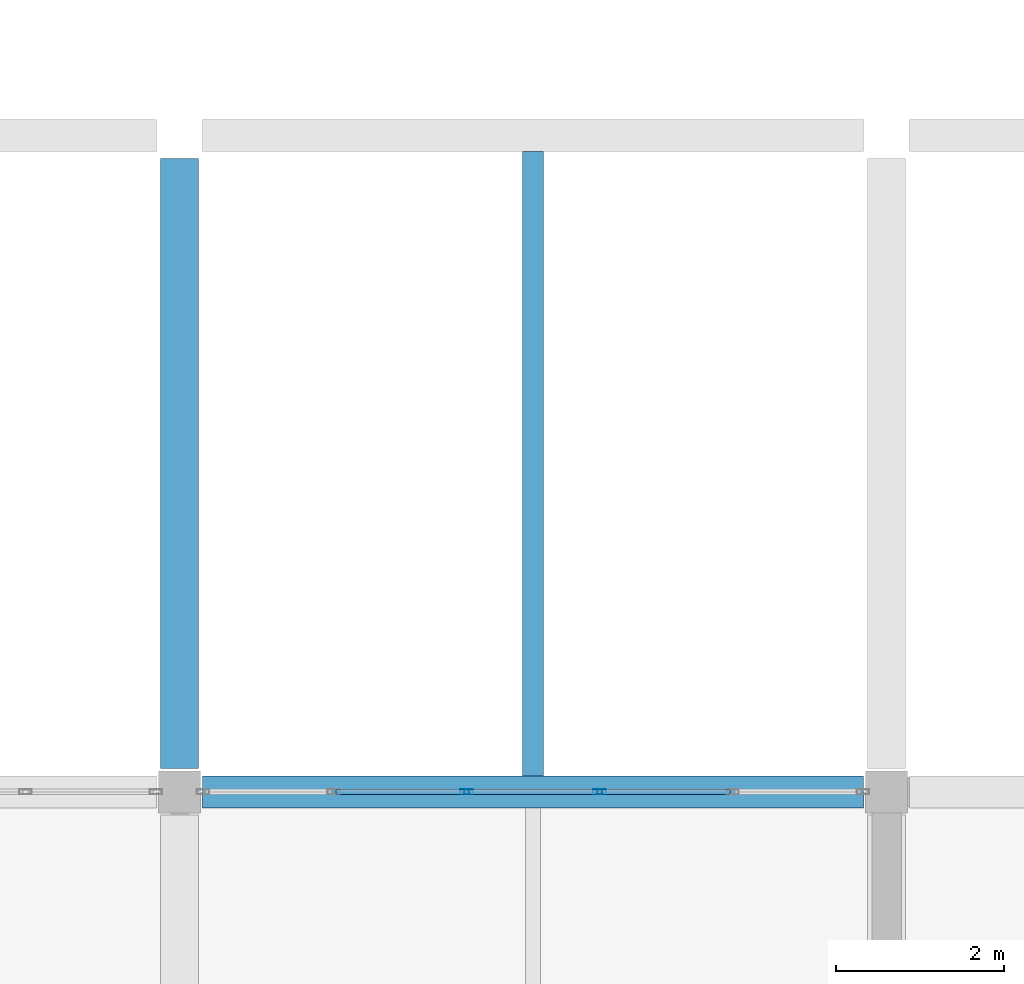
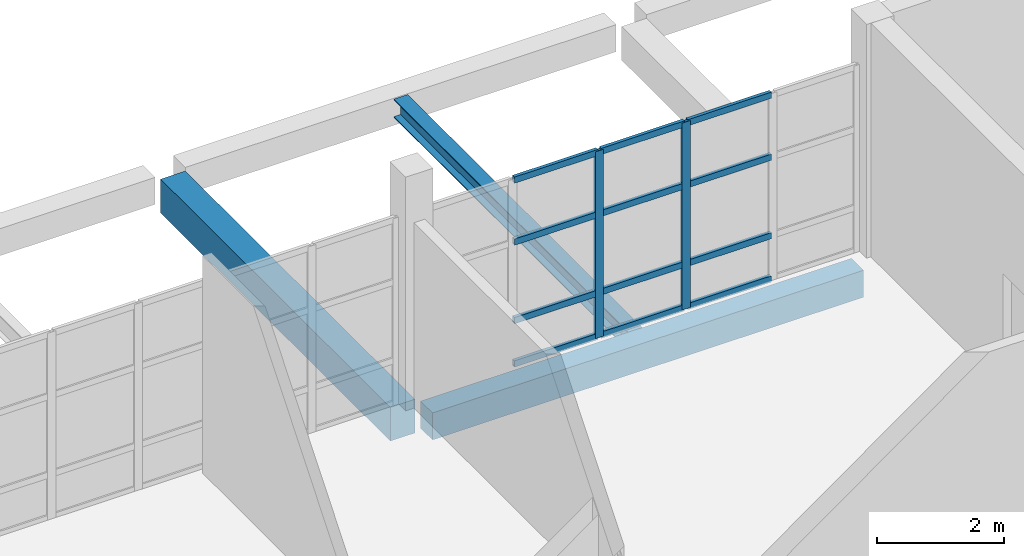
# One storey, part 32 of 53: 14 members, 3 beams, 1 element without a shape of its own.
"""IFC4 building model written with IfcOpenShell, lengths in metres."""

from ifc_helpers import new_model, si_unit, direction, frame, origin, origin_2d, place, context, subcontext, project, spatial, rectangle, hollow_rectangle, i_section, extrude, material, material_profile, profile_set, type_object, element, aggregate, save


model = new_model("IFC4")

# Units and contexts
model_context = context("Model", 3, precision=1e-05, world=origin(), true_north=direction((0.0, 1.0)))
body_context = subcontext(model_context, "Body", "Model", "MODEL_VIEW")
ifc_project = project(units=[si_unit("LENGTHUNIT", "METRE"), si_unit("AREAUNIT", "SQUARE_METRE"), si_unit("VOLUMEUNIT", "CUBIC_METRE"), si_unit("PLANEANGLEUNIT", "RADIAN"), si_unit("MASSUNIT", "GRAM", prefix="KILO")], contexts=[model_context])

# Site, building, storey
site_placement = place(None, origin())
site = spatial("IfcSite", under=ifc_project, at=site_placement, CompositionType="ELEMENT")
building_placement = place(site_placement, origin())
building = spatial("IfcBuilding", under=site, at=building_placement, Name="Pellamere Symphony Hall", CompositionType="ELEMENT")
storey_placement = place(building_placement, frame((0.0, 0.0, 24.0)))
storey = spatial("IfcBuildingStorey", under=building, at=storey_placement, Name="L05", CompositionType="ELEMENT", Elevation=24.0)

# Curtain wall, members
ifc_material_1 = material(Name="Thermally Broken Anodised Aluminium 6063-T6 Curtain Wall", Category="aluminium")
curtain_wall_type = type_object("IfcCurtainWallType", Name="Curtain Wall CW-05 (Artists Wing North Studio Ribbon Curtain Wall)", PredefinedType="NOTDEFINED", material=ifc_material_1)
curtain_wall_placement = place(storey_placement, origin())
curtain_wall = element("IfcCurtainWall", 1, at=curtain_wall_placement, inside=storey, type_object=curtain_wall_type, Name="Artists Wing North Studio Curtain Wall (L05 Bay 2)", PredefinedType="NOTDEFINED")
ifc_material_2 = material(Name="Anodised Architectural Aluminium 6063-T6", Category="aluminium")
ifc_material_profile_1 = material_profile(ifc_material_2, hollow_rectangle(XDim=0.06005859375, YDim=0.14990234375, WallThickness=0.00390625, at=origin_2d()), Name="ALU-M60X150X4")
ifc_profile_set_1 = profile_set([ifc_material_profile_1], Name="Anodised Architectural Aluminium 6063-T6")
member_type_1 = type_object("IfcMemberType", Name="Curtain Wall Mullion ML-03 ALU-M60X150X4", PredefinedType="MULLION", material=ifc_profile_set_1)
member_1_placement = place(storey_placement, frame((159.409912109375, 77.39990234375, 0.0), z_axis=(0.0, 0.0, 1.0), x_axis=(0.0, 1.0, 0.0)))
member_1 = element("IfcMember", 2, at=member_1_placement, type_object=member_type_1, Name="CW5-149 crystal mullion 3", PredefinedType="MULLION", context=body_context, shape_type="SweptSolid", body=[
    extrude(hollow_rectangle(XDim=0.06005859375, YDim=0.14990234375, WallThickness=0.00390625, at=origin_2d()), origin(), (0.0, 0.0, 1.0), 3.60009765625),
])
member_2_placement = place(storey_placement, frame((160.989990234375, 77.39990234375, 0.0), z_axis=(0.0, 0.0, 1.0), x_axis=(0.0, 1.0, 0.0)))
member_2 = element("IfcMember", 3, at=member_2_placement, type_object=member_type_1, Name="CW5-149 crystal mullion 4", PredefinedType="MULLION", context=body_context, shape_type="SweptSolid", body=[
    extrude(hollow_rectangle(XDim=0.06005859375, YDim=0.14990234375, WallThickness=0.00390625, at=origin_2d()), origin(), (0.0, 0.0, 1.0), 3.60009765625),
])
ifc_material_profile_2 = material_profile(ifc_material_2, hollow_rectangle(XDim=0.06005859375, YDim=0.1201171875, WallThickness=0.00390625, at=origin_2d()), Name="ALU-T60X120X4")
ifc_profile_set_2 = profile_set([ifc_material_profile_2], Name="Anodised Architectural Aluminium 6063-T6")
member_type_2 = type_object("IfcMemberType", Name="Curtain Wall Transom TR-03 ALU-T60X120X4", PredefinedType="USERDEFINED", material=ifc_profile_set_2)
member_3_placement = place(storey_placement, frame((157.860107421875, 77.39990234375, 0.030029296875), z_axis=(1.0, 0.0, 0.0), x_axis=(0.0, 1.0, 0.0)))
member_3 = element("IfcMember", 4, at=member_3_placement, type_object=member_type_2, Name="CW5-149 crystal transom 2.1", ObjectType="TRANSOM", PredefinedType="USERDEFINED", context=body_context, shape_type="SweptSolid", body=[
    extrude(hollow_rectangle(XDim=0.06005859375, YDim=0.1201171875, WallThickness=0.00390625, at=origin_2d()), origin(), (0.0, 0.0, 1.0), 1.519775390625),
])
member_4_placement = place(storey_placement, frame((157.860107421875, 77.39990234375, 0.864013671875), z_axis=(1.0, 0.0, 0.0), x_axis=(0.0, 1.0, 0.0)))
member_4 = element("IfcMember", 5, at=member_4_placement, type_object=member_type_2, Name="CW5-149 crystal transom 2.2", ObjectType="TRANSOM", PredefinedType="USERDEFINED", context=body_context, shape_type="SweptSolid", body=[
    extrude(hollow_rectangle(XDim=0.06005859375, YDim=0.1201171875, WallThickness=0.00390625, at=origin_2d()), origin(), (0.0, 0.0, 1.0), 1.519775390625),
])
member_5_placement = place(storey_placement, frame((157.860107421875, 77.39990234375, 2.3759765625), z_axis=(1.0, 0.0, 0.0), x_axis=(0.0, 1.0, 0.0)))
member_5 = element("IfcMember", 6, at=member_5_placement, type_object=member_type_2, Name="CW5-149 crystal transom 2.3", ObjectType="TRANSOM", PredefinedType="USERDEFINED", context=body_context, shape_type="SweptSolid", body=[
    extrude(hollow_rectangle(XDim=0.06005859375, YDim=0.1201171875, WallThickness=0.00390625, at=origin_2d()), origin(), (0.0, 0.0, 1.0), 1.519775390625),
])
member_6_placement = place(storey_placement, frame((157.860107421875, 77.39990234375, 3.570068359375), z_axis=(1.0, 0.0, 0.0), x_axis=(0.0, 1.0, 0.0)))
member_6 = element("IfcMember", 7, at=member_6_placement, type_object=member_type_2, Name="CW5-149 crystal transom 2.4", ObjectType="TRANSOM", PredefinedType="USERDEFINED", context=body_context, shape_type="SweptSolid", body=[
    extrude(hollow_rectangle(XDim=0.06005859375, YDim=0.1201171875, WallThickness=0.00390625, at=origin_2d()), origin(), (0.0, 0.0, 1.0), 1.519775390625),
])
member_7_placement = place(storey_placement, frame((159.43994140625, 77.39990234375, 0.030029296875), z_axis=(1.0, 0.0, 0.0), x_axis=(0.0, 1.0, 0.0)))
member_7 = element("IfcMember", 8, at=member_7_placement, type_object=member_type_2, Name="CW5-149 crystal transom 3.1", ObjectType="TRANSOM", PredefinedType="USERDEFINED", context=body_context, shape_type="SweptSolid", body=[
    extrude(hollow_rectangle(XDim=0.06005859375, YDim=0.1201171875, WallThickness=0.00390625, at=origin_2d()), origin(), (0.0, 0.0, 1.0), 1.52001953125),
])
member_8_placement = place(storey_placement, frame((159.43994140625, 77.39990234375, 0.864013671875), z_axis=(1.0, 0.0, 0.0), x_axis=(0.0, 1.0, 0.0)))
member_8 = element("IfcMember", 9, at=member_8_placement, type_object=member_type_2, Name="CW5-149 crystal transom 3.2", ObjectType="TRANSOM", PredefinedType="USERDEFINED", context=body_context, shape_type="SweptSolid", body=[
    extrude(hollow_rectangle(XDim=0.06005859375, YDim=0.1201171875, WallThickness=0.00390625, at=origin_2d()), origin(), (0.0, 0.0, 1.0), 1.52001953125),
])
member_9_placement = place(storey_placement, frame((159.43994140625, 77.39990234375, 2.3759765625), z_axis=(1.0, 0.0, 0.0), x_axis=(0.0, 1.0, 0.0)))
member_9 = element("IfcMember", 10, at=member_9_placement, type_object=member_type_2, Name="CW5-149 crystal transom 3.3", ObjectType="TRANSOM", PredefinedType="USERDEFINED", context=body_context, shape_type="SweptSolid", body=[
    extrude(hollow_rectangle(XDim=0.06005859375, YDim=0.1201171875, WallThickness=0.00390625, at=origin_2d()), origin(), (0.0, 0.0, 1.0), 1.52001953125),
])
member_10_placement = place(storey_placement, frame((159.43994140625, 77.39990234375, 3.570068359375), z_axis=(1.0, 0.0, 0.0), x_axis=(0.0, 1.0, 0.0)))
member_10 = element("IfcMember", 11, at=member_10_placement, type_object=member_type_2, Name="CW5-149 crystal transom 3.4", ObjectType="TRANSOM", PredefinedType="USERDEFINED", context=body_context, shape_type="SweptSolid", body=[
    extrude(hollow_rectangle(XDim=0.06005859375, YDim=0.1201171875, WallThickness=0.00390625, at=origin_2d()), origin(), (0.0, 0.0, 1.0), 1.52001953125),
])
member_11_placement = place(storey_placement, frame((161.02001953125, 77.39990234375, 0.030029296875), z_axis=(1.0, 0.0, 0.0), x_axis=(0.0, 1.0, 0.0)))
member_11 = element("IfcMember", 12, at=member_11_placement, type_object=member_type_2, Name="CW5-149 crystal transom 4.1", ObjectType="TRANSOM", PredefinedType="USERDEFINED", context=body_context, shape_type="SweptSolid", body=[
    extrude(hollow_rectangle(XDim=0.06005859375, YDim=0.1201171875, WallThickness=0.00390625, at=origin_2d()), origin(), (0.0, 0.0, 1.0), 1.52001953125),
])
member_12_placement = place(storey_placement, frame((161.02001953125, 77.39990234375, 0.864013671875), z_axis=(1.0, 0.0, 0.0), x_axis=(0.0, 1.0, 0.0)))
member_12 = element("IfcMember", 13, at=member_12_placement, type_object=member_type_2, Name="CW5-149 crystal transom 4.2", ObjectType="TRANSOM", PredefinedType="USERDEFINED", context=body_context, shape_type="SweptSolid", body=[
    extrude(hollow_rectangle(XDim=0.06005859375, YDim=0.1201171875, WallThickness=0.00390625, at=origin_2d()), origin(), (0.0, 0.0, 1.0), 1.52001953125),
])
member_13_placement = place(storey_placement, frame((161.02001953125, 77.39990234375, 2.3759765625), z_axis=(1.0, 0.0, 0.0), x_axis=(0.0, 1.0, 0.0)))
member_13 = element("IfcMember", 14, at=member_13_placement, type_object=member_type_2, Name="CW5-149 crystal transom 4.3", ObjectType="TRANSOM", PredefinedType="USERDEFINED", context=body_context, shape_type="SweptSolid", body=[
    extrude(hollow_rectangle(XDim=0.06005859375, YDim=0.1201171875, WallThickness=0.00390625, at=origin_2d()), origin(), (0.0, 0.0, 1.0), 1.52001953125),
])
member_14_placement = place(storey_placement, frame((161.02001953125, 77.39990234375, 3.570068359375), z_axis=(1.0, 0.0, 0.0), x_axis=(0.0, 1.0, 0.0)))
member_14 = element("IfcMember", 15, at=member_14_placement, type_object=member_type_2, Name="CW5-149 crystal transom 4.4", ObjectType="TRANSOM", PredefinedType="USERDEFINED", context=body_context, shape_type="SweptSolid", body=[
    extrude(hollow_rectangle(XDim=0.06005859375, YDim=0.1201171875, WallThickness=0.00390625, at=origin_2d()), origin(), (0.0, 0.0, 1.0), 1.52001953125),
])
aggregate(curtain_wall, [member_1, member_2, member_3, member_4, member_5, member_6, member_7, member_8, member_9, member_10, member_11, member_12, member_13, member_14])

# Beams
ifc_material_3 = material(Name="Concrete 40 MPa", Category="concrete")
ifc_material_profile_3 = material_profile(ifc_material_3, rectangle(XDim=0.449951171875, YDim=0.64990234375, at=origin_2d()), Name="RC 450x650")
ifc_profile_set_3 = profile_set([ifc_material_profile_3], Name="Concrete 40 MPa")
beam_type_1 = type_object("IfcBeamType", Name="RC CB-08 450x650", PredefinedType="BEAM", material=ifc_profile_set_3)
beam_1_placement = place(storey_placement, frame((156.0, 77.675048828125, -0.5849609375), z_axis=(0.0, 1.0, 0.0), x_axis=(-1.0, 0.0, 0.0)))
element("IfcBeam", 16, at=beam_1_placement, inside=storey, type_object=beam_type_1, Name="Girder CB-08-Y2128 (L05)", PredefinedType="BEAM", context=body_context, shape_type="SweptSolid", body=[
    extrude(rectangle(XDim=0.449951171875, YDim=0.64990234375, at=origin_2d()), origin(), (0.0, 0.0, 1.0), 7.25),
])
ifc_material_profile_4 = material_profile(ifc_material_3, rectangle(XDim=0.3798828125, YDim=0.52001953125, at=origin_2d()), Name="RC 380x520")
ifc_profile_set_4 = profile_set([ifc_material_profile_4], Name="Concrete 40 MPa")
beam_type_2 = type_object("IfcBeamType", Name="RC CB-21 380x520", PredefinedType="BEAM", material=ifc_profile_set_4)
beam_2_placement = place(storey_placement, frame((156.27490234375, 77.39990234375, -0.52001953125), z_axis=(1.0, 0.0, 0.0), x_axis=(0.0, 1.0, 0.0)))
element("IfcBeam", 17, at=beam_2_placement, inside=storey, type_object=beam_type_2, Name="Girder CB-21-X2054 (L05)", PredefinedType="BEAM", context=body_context, shape_type="SweptSolid", body=[
    extrude(rectangle(XDim=0.3798828125, YDim=0.52001953125, at=origin_2d()), origin(), (0.0, 0.0, 1.0), 7.85009765625),
])
ifc_material_4 = material(Name="Steel CSA G40.21 350W", Category="steel")
ifc_material_profile_5 = material_profile(ifc_material_4, i_section(OverallWidth=0.25390625, OverallDepth=0.35302734375, WebThickness=0.009521484375, FlangeThickness=0.016357421875, at=origin_2d()), Name="W360X91")
ifc_profile_set_5 = profile_set([ifc_material_profile_5], Name="Steel CSA G40.21 350W")
beam_type_3 = type_object("IfcBeamType", Name="Steel Joist SB-20 W360X91", PredefinedType="JOIST", material=ifc_profile_set_5)
beam_3_placement = place(storey_placement, frame((160.199951171875, 77.590087890625, -0.451416015625), z_axis=(0.0, 1.0, 0.0), x_axis=(-1.0, 0.0, 0.0)))
element("IfcBeam", 18, at=beam_3_placement, inside=storey, type_object=beam_type_3, Name="Secondary Floor Beam SB-20-M1910 (L05)", PredefinedType="JOIST", context=body_context, shape_type="SweptSolid", body=[
    extrude(i_section(OverallWidth=0.25390625, OverallDepth=0.35302734375, WebThickness=0.009521484375, FlangeThickness=0.016357421875, at=origin_2d()), origin(), (0.0, 0.0, 1.0), 7.419921875),
])

save(model, "model.ifc")
